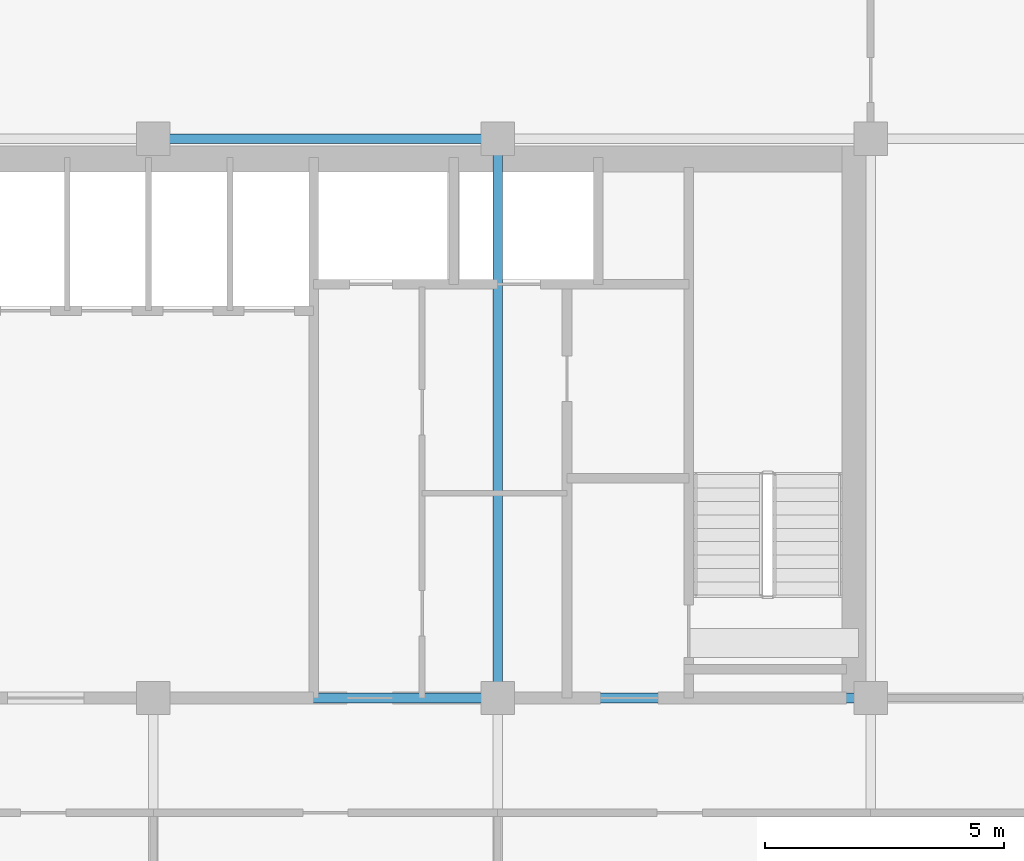
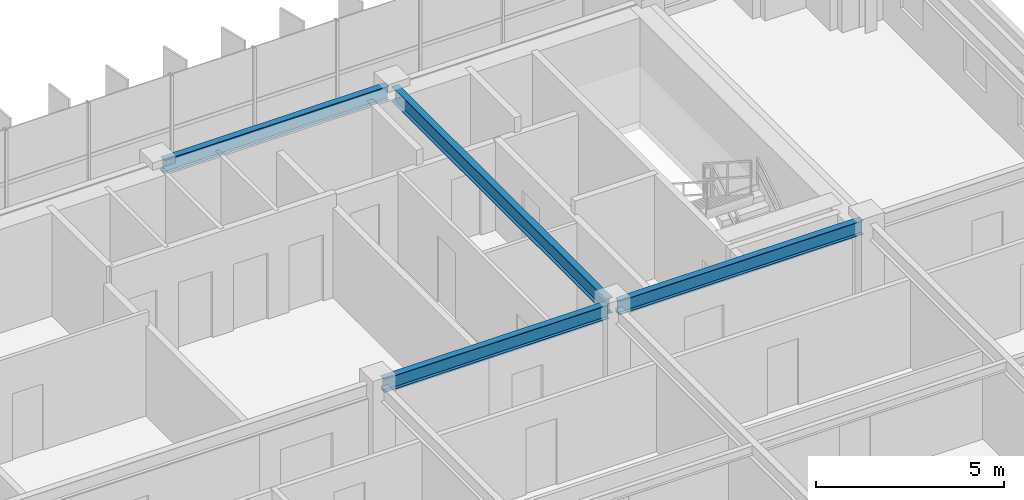
# One storey, part 10 of 23: 4 beams.
"""IFC4 building model written with IfcOpenShell, lengths in metres."""

import ifcopenshell
import ifcopenshell.guid

model = None  # the IFC model being written
_history = None  # IfcOwnerHistory: only IFC2X3 demands one
_inside = {}  # id of a spatial element -> (the spatial element, [elements in it])
_under = {}  # id of a project, library or spatial element -> (it, [spatial elements below it])
_declared = {}  # id of a project -> (the project, [libraries it declares])
_typed = {}  # id of a type object -> (the type object, [elements of that type])
_made_of = {}  # id of a material, layer set ... -> (it, [elements and type objects made of it])


def new_model(schema):
    """Start an empty IFC model of exactly this schema.

    Asked for "IFC4X3", IfcOpenShell would pick the latest addendum, in which some entities
    have other attributes; the version numbers below select the first issue.
    IFC2X3 requires an IfcOwnerHistory on every rooted entity: one is made here for all.
    """
    global model, _history
    if schema == "IFC4X3":
        model = ifcopenshell.file(schema_version=(4, 3, 0, 0))
    else:
        model = ifcopenshell.file(schema=schema)
    _inside.clear()
    _under.clear()
    _declared.clear()
    _typed.clear()
    _made_of.clear()
    _history = None
    if model.schema == "IFC2X3":
        org = make("IfcOrganization", Name="unknown")
        user = make(
            "IfcPersonAndOrganization",
            ThePerson=make("IfcPerson", FamilyName="unknown"),
            TheOrganization=org,
        )
        app = make(
            "IfcApplication",
            ApplicationDeveloper=org,
            Version="unknown",
            ApplicationFullName="unknown",
            ApplicationIdentifier="unknown",
        )
        _history = make(
            "IfcOwnerHistory",
            OwningUser=user,
            OwningApplication=app,
            ChangeAction="ADDED",
            CreationDate=0,
        )
    return model


def make(cls, **values):
    """One entity of the class cls with the attributes given. An attribute that is None is left unset."""
    return model.create_entity(
        cls, **{name: value for name, value in values.items() if value is not None}
    )


def rooted(cls, **values):
    """An entity with a GlobalId (a new one), such as an element, a storey or a relation."""
    return make(cls, GlobalId=ifcopenshell.guid.new(), OwnerHistory=_history, **values)


def si_unit(unit_type, name, prefix=None):
    """IfcSIUnit, for example si_unit("LENGTHUNIT", "METRE", prefix="MILLI")."""
    return make("IfcSIUnit", UnitType=unit_type, Prefix=prefix, Name=name)


def assignment(units):
    """IfcUnitAssignment: the units of a project."""
    return None if units is None else make("IfcUnitAssignment", Units=units)


def point(xyz):
    """IfcCartesianPoint."""
    return None if xyz is None else make("IfcCartesianPoint", Coordinates=xyz)


def direction(xyz):
    """IfcDirection."""
    return None if xyz is None else make("IfcDirection", DirectionRatios=xyz)


def frame(location, z_axis=None, x_axis=None):
    """IfcAxis2Placement3D, a coordinate frame: its origin and axes. An axis left out is left unset."""
    return make(
        "IfcAxis2Placement3D",
        Location=point(location),
        Axis=direction(z_axis),
        RefDirection=direction(x_axis),
    )


def frame_2d(location, x_axis=None):
    """IfcAxis2Placement2D, a coordinate frame in the plane: its origin and x axis."""
    return make(
        "IfcAxis2Placement2D", Location=point(location), RefDirection=direction(x_axis)
    )


def origin():
    """The frame at (0, 0, 0) with its axes left unset."""
    return frame((0.0, 0.0, 0.0))


def origin_2d():
    """The frame at (0, 0) in the plane with its x axis left unset."""
    return frame_2d((0.0, 0.0))


def place(relative_to, where):
    """IfcLocalPlacement: puts the frame where relative to a parent placement (None: the world)."""
    return make(
        "IfcLocalPlacement", PlacementRelTo=relative_to, RelativePlacement=where
    )


def context(
    kind, dimensions, precision=None, world=None, true_north=None, identifier=None
):
    """IfcGeometricRepresentationContext, for example the 3D "Model" context."""
    return make(
        "IfcGeometricRepresentationContext",
        ContextIdentifier=identifier,
        ContextType=kind,
        CoordinateSpaceDimension=dimensions,
        Precision=precision,
        WorldCoordinateSystem=world,
        TrueNorth=true_north,
    )


def subcontext(parent, identifier, kind, view, scale=None):
    """IfcGeometricRepresentationSubContext, for example "Body" below "Model"."""
    return make(
        "IfcGeometricRepresentationSubContext",
        ContextIdentifier=identifier,
        ContextType=kind,
        ParentContext=parent,
        TargetScale=scale,
        TargetView=view,
    )


def project(units=None, contexts=None):
    """IfcProject with its units and contexts."""
    return rooted(
        "IfcProject",
        Name="project",
        RepresentationContexts=contexts,
        UnitsInContext=assignment(units),
    )


def spatial(cls, under=None, at=None, **own):
    """A site, building, storey or space (cls), placed at a placement, below another one or the project."""
    s = rooted(cls, ObjectPlacement=at, **own)
    if under is not None:
        _under.setdefault(under.id(), (under, []))[1].append(s)
    return s


def profile(cls, at=None, kind="AREA", **sizes):
    """A parametric profile (cls). Its sizes go by their IFC names, for example OverallWidth=200.0."""
    return make(cls, ProfileType=kind, Position=at, **sizes)


def i_section(**sizes):
    """IfcIShapeProfileDef."""
    return profile("IfcIShapeProfileDef", **sizes)


def extrude(swept, where, along, depth):
    """IfcExtrudedAreaSolid: the profile swept, set in the frame where, extruded along a direction by depth."""
    return make(
        "IfcExtrudedAreaSolid",
        SweptArea=swept,
        Position=where,
        ExtrudedDirection=direction(along),
        Depth=depth,
    )


def shape(context_of_items, identifier, shape_type, items):
    """IfcShapeRepresentation: the items that make up one representation, for example the "Body"."""
    return make(
        "IfcShapeRepresentation",
        ContextOfItems=context_of_items,
        RepresentationIdentifier=identifier,
        RepresentationType=shape_type,
        Items=items,
    )


def source(mapping_origin, context_of_items, identifier, shape_type, items):
    """IfcRepresentationMap: a shape defined once, which mapped items show again and again."""
    return make(
        "IfcRepresentationMap",
        MappingOrigin=mapping_origin,
        MappedRepresentation=shape(context_of_items, identifier, shape_type, items),
    )


def transform(
    local_origin,
    x_axis=None,
    y_axis=None,
    z_axis=None,
    scale=None,
    scale2=None,
    scale3=None,
    uniform=True,
):
    """IfcCartesianTransformationOperator3D, or its non-uniform kind. x_axis, y_axis, z_axis: its Axis1, 2, 3."""
    if uniform:
        return make(
            "IfcCartesianTransformationOperator3D",
            Axis1=direction(x_axis),
            Axis2=direction(y_axis),
            LocalOrigin=point(local_origin),
            Scale=scale,
            Axis3=direction(z_axis),
        )
    return make(
        "IfcCartesianTransformationOperator3DnonUniform",
        Axis1=direction(x_axis),
        Axis2=direction(y_axis),
        LocalOrigin=point(local_origin),
        Scale=scale,
        Axis3=direction(z_axis),
        Scale2=scale2,
        Scale3=scale3,
    )


def mapped(mapping_source, mapping_target):
    """IfcMappedItem: shows the shape of a source again, moved by a transform."""
    return make(
        "IfcMappedItem", MappingSource=mapping_source, MappingTarget=mapping_target
    )


def material(Name=None, Category=None):
    """IfcMaterial."""
    return make("IfcMaterial", Name=Name, Category=Category)


def material_profile(
    of_material, cross_section, Name=None, Category=None, Priority=None
):
    """IfcMaterialProfile: a cross section and its material."""
    return make(
        "IfcMaterialProfile",
        Name=Name,
        Material=of_material,
        Profile=cross_section,
        Priority=Priority,
        Category=Category,
    )


def profile_set(profiles, Name=None, composite=None):
    """IfcMaterialProfileSet."""
    return make(
        "IfcMaterialProfileSet",
        Name=Name,
        MaterialProfiles=profiles,
        CompositeProfile=composite,
    )


def made_of(thing, what):
    """Note that an element or type object is made of a material, layer set ...; save() writes the relation."""
    if what is not None:
        _made_of.setdefault(what.id(), (what, []))[1].append(thing)
    return thing


def type_object(cls, material=None, **own):
    """A type object (cls), such as IfcWallType, which elements share."""
    return made_of(rooted(cls, **own), material)


def element(
    cls,
    number,
    at=None,
    inside=None,
    cuts=None,
    type_object=None,
    material=None,
    context=None,
    identifier="Body",
    shape_type=None,
    held_by="IfcProductDefinitionShape",
    body=None,
    shapes=None,
    **own,
):
    """One element of the class cls, such as IfcWall. Its Tag is "e" and its number.

    at: its placement. inside: the storey or other place that contains it. cuts: it is an
    opening in that element (IfcRelVoidsElement). A single representation is given by context,
    identifier, shape_type and body (its items); several are given by shapes. held_by: the class
    of the entity that holds the representations. save() writes the other relations.
    """
    e = rooted(cls, Tag="e%d" % number, ObjectPlacement=at, **own)
    if body is not None:
        shapes = [shape(context, identifier, shape_type, body)]
    if shapes is not None:
        e.Representation = make(held_by, Representations=shapes)
    if inside is not None:
        _inside.setdefault(inside.id(), (inside, []))[1].append(e)
    if cuts is not None:
        rooted(
            "IfcRelVoidsElement", RelatingBuildingElement=cuts, RelatedOpeningElement=e
        )
    if type_object is not None:
        _typed.setdefault(type_object.id(), (type_object, []))[1].append(e)
    return made_of(e, material)


def aggregate(whole, parts):
    """IfcRelAggregates: a whole, such as a stair, and the parts it consists of."""
    return rooted("IfcRelAggregates", RelatingObject=whole, RelatedObjects=parts)


def save(model, path):
    """Write the relations noted so far, then the file.

    IfcRelAggregates (storeys below a building ...), IfcRelContainedInSpatialStructure (elements
    in a storey), IfcRelDefinesByType, IfcRelAssociatesMaterial and IfcRelDeclares: one each for
    every whole, place, type object, material and project.
    """
    for whole, parts in _under.values():
        aggregate(whole, parts)
    for where, things in _inside.values():
        rooted(
            "IfcRelContainedInSpatialStructure",
            RelatedElements=things,
            RelatingStructure=where,
        )
    for kind, things in _typed.values():
        rooted("IfcRelDefinesByType", RelatedObjects=things, RelatingType=kind)
    for what, things in _made_of.values():
        rooted("IfcRelAssociatesMaterial", RelatedObjects=things, RelatingMaterial=what)
    for by, libraries in _declared.values():
        rooted("IfcRelDeclares", RelatingContext=by, RelatedDefinitions=libraries)
    model.write(path)


model = new_model("IFC4")

# Units and contexts
model_context = context("Model", 3, precision=1e-05, world=origin(), true_north=direction((0.0, 1.0)))
body_context = subcontext(model_context, "Body", "Model", "MODEL_VIEW")
ifc_project = project(units=[si_unit("LENGTHUNIT", "METRE"), si_unit("AREAUNIT", "SQUARE_METRE"), si_unit("VOLUMEUNIT", "CUBIC_METRE"), si_unit("PLANEANGLEUNIT", "RADIAN"), si_unit("MASSUNIT", "GRAM", prefix="KILO")], contexts=[model_context])

# Site, building, storey
site_placement = place(None, origin())
site = spatial("IfcSite", under=ifc_project, at=site_placement, CompositionType="ELEMENT")
building_placement = place(site_placement, origin())
building = spatial("IfcBuilding", under=site, at=building_placement, Name="Trelvane Seafront Commons", CompositionType="ELEMENT")
storey_placement = place(building_placement, frame((0.0, 0.0, 230.10009765625)))
storey = spatial("IfcBuildingStorey", under=building, at=storey_placement, Name="L60", CompositionType="ELEMENT", Elevation=230.10009765625)

# Beams
ifc_material = material(Name="Steel SM355 (S355)", Category="steel")
ifc_material_profile_1 = material_profile(ifc_material, i_section(OverallWidth=0.199951171875, OverallDepth=0.5, WebThickness=0.010009765625, FlangeThickness=0.01611328125, at=origin_2d()), Name="H-500x200x10x16")
ifc_profile_set_1 = profile_set([ifc_material_profile_1], Name="Steel SM355 (S355)")
beam_type_1 = type_object("IfcBeamType", Name="STR-BM-H500", PredefinedType="BEAM", material=ifc_profile_set_1)
shared_shape_1 = source(origin(), body_context, "Body", "SweptSolid", [
    extrude(i_section(OverallWidth=0.199951171875, OverallDepth=0.5, WebThickness=0.010009765625, FlangeThickness=0.01611328125, at=origin_2d()), origin(), (0.0, 0.0, 1.0), 11.39990234375),
])
beam_1_placement = place(storey_placement, frame((51.0, 33.550048828125, 3.10986328125), z_axis=(0.0, 1.0, 0.0), x_axis=(-1.0, 0.0, 0.0)))
element("IfcBeam", 1, at=beam_1_placement, inside=storey, type_object=beam_type_1, Name="L60 Primary Girder G-46", PredefinedType="BEAM", context=body_context, shape_type="MappedRepresentation", body=[
    mapped(shared_shape_1, transform((0.0, 0.0, 0.0), x_axis=(1.0, 0.0, 0.0), y_axis=(0.0, 1.0, 0.0), z_axis=(0.0, 0.0, 1.0), scale=1.0)),
])
ifc_material_profile_2 = material_profile(ifc_material, i_section(OverallWidth=0.199951171875, OverallDepth=0.449951171875, WebThickness=0.009033203125, FlangeThickness=0.013916015625, at=origin_2d()), Name="H-450x200x9x14")
ifc_profile_set_2 = profile_set([ifc_material_profile_2], Name="Steel SM355 (S355)")
beam_type_2 = type_object("IfcBeamType", Name="STR-SPD-H450", PredefinedType="SPANDREL", material=ifc_profile_set_2)
shared_shape_2 = source(origin(), body_context, "Body", "SweptSolid", [
    extrude(i_section(OverallWidth=0.199951171875, OverallDepth=0.449951171875, WebThickness=0.009033203125, FlangeThickness=0.013916015625, at=origin_2d()), origin(), (0.0, 0.0, 1.0), 7.5),
])
beam_2_placement = place(storey_placement, frame((51.14990234375, 33.39990234375, 3.135009765625), z_axis=(1.0, 0.0, 0.0), x_axis=(0.0, 1.0, 0.0)))
element("IfcBeam", 2, at=beam_2_placement, inside=storey, type_object=beam_type_2, Name="L60 Primary Girder G-20", PredefinedType="SPANDREL", context=body_context, shape_type="MappedRepresentation", body=[
    mapped(shared_shape_2, transform((0.0, 0.0, 0.0), x_axis=(1.0, 0.0, 0.0), y_axis=(0.0, 1.0, 0.0), z_axis=(0.0, 0.0, 1.0), scale=1.0)),
])
shared_shape_3 = source(origin(), body_context, "Body", "SweptSolid", [
    extrude(i_section(OverallWidth=0.199951171875, OverallDepth=0.449951171875, WebThickness=0.009033203125, FlangeThickness=0.013916015625, at=origin_2d()), origin(), (0.0, 0.0, 1.0), 6.900146484375),
])
for number, where, z_axis, x_axis, name in (
    (3, (43.949951171875, 33.39990234375, 3.135009765625), (1.0, 0.0, 0.0), (0.0, 1.0, 0.0), "L60 Primary Girder G-19"),
    (4, (43.949951171875, 45.10009765625, 3.135009765625), (1.0, 0.0, 0.0), (0.0, 1.0, 0.0), "L60 Primary Girder G-26"),
):
    element("IfcBeam", number, at=place(storey_placement, frame(where, z_axis=z_axis, x_axis=x_axis)), inside=storey, type_object=beam_type_2, Name=name, PredefinedType="SPANDREL", context=body_context, shape_type="MappedRepresentation", body=[
        mapped(shared_shape_3, transform((0.0, 0.0, 0.0), x_axis=(1.0, 0.0, 0.0), y_axis=(0.0, 1.0, 0.0), z_axis=(0.0, 0.0, 1.0), scale=1.0)),
    ])

save(model, "model.ifc")
